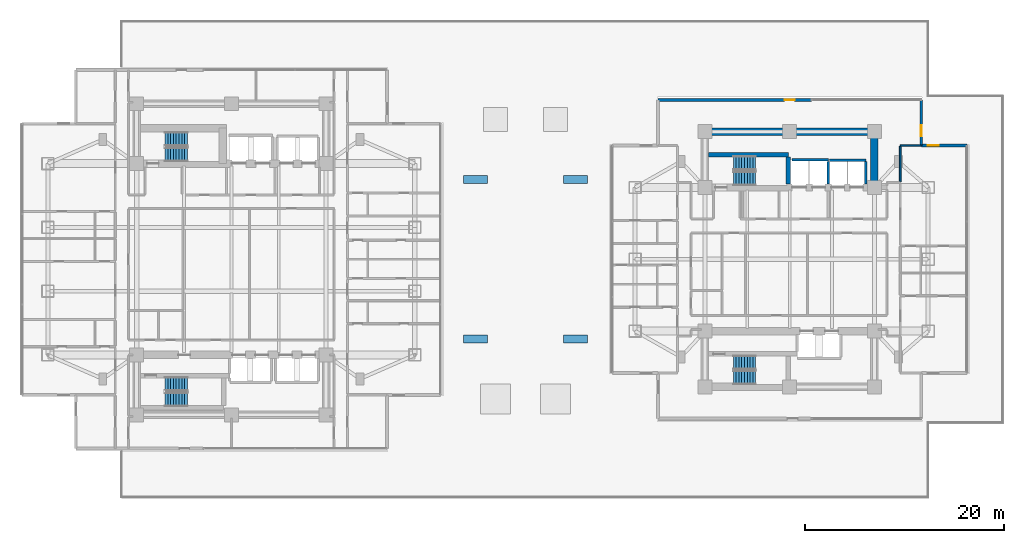
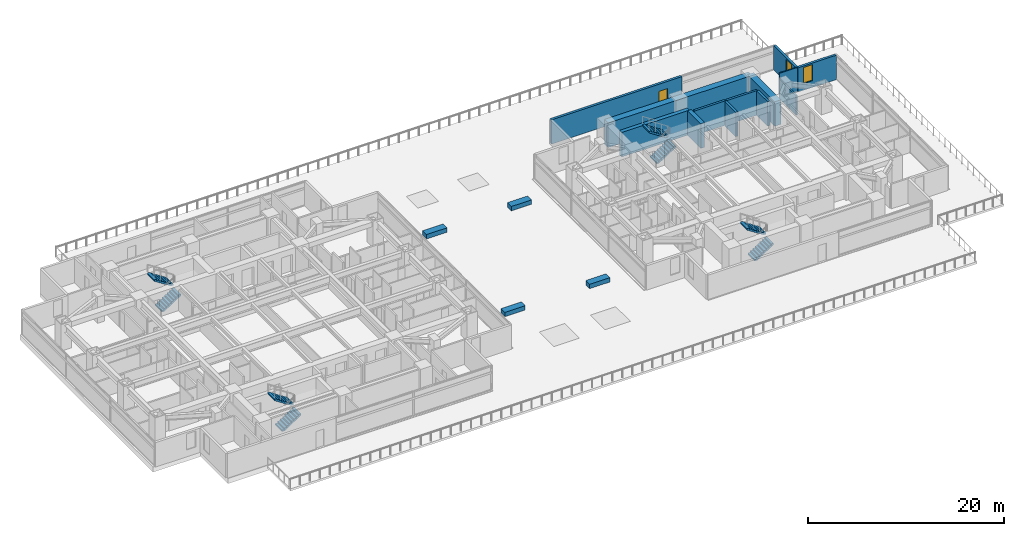
# One storey, part 18 of 26: 13 walls, 8 stair flights, 4 discrete accessories, 2 windows, 1 door, 3 openings, 4 elements without a shape of their own.
"""IFC4 building model written with IfcOpenShell, lengths in metres."""

from ifc_helpers import new_model, si_unit, direction, frame, frame_2d, origin, origin_2d, place, context, subcontext, project, spatial, polyline, rectangle, outline, extrude, material, layer, layer_set, type_object, element, fill, aggregate, save


model = new_model("IFC4")

# Units and contexts
model_context = context("Model", 3, precision=1e-05, world=origin(), true_north=direction((0.0, 1.0)))
body_context = subcontext(model_context, "Body", "Model", "MODEL_VIEW")
ifc_project = project(units=[si_unit("LENGTHUNIT", "METRE"), si_unit("AREAUNIT", "SQUARE_METRE"), si_unit("VOLUMEUNIT", "CUBIC_METRE"), si_unit("PLANEANGLEUNIT", "RADIAN"), si_unit("MASSUNIT", "GRAM", prefix="KILO")], contexts=[model_context])

# Site, building, storey
site_placement = place(None, origin())
site = spatial("IfcSite", under=ifc_project, at=site_placement, CompositionType="ELEMENT")
building_placement = place(site_placement, origin())
building = spatial("IfcBuilding", under=site, at=building_placement, Name="Mirazonda Arch Towers", CompositionType="ELEMENT")
storey_placement = place(building_placement, frame((0.0, 0.0, 22.39990234375)))
storey = spatial("IfcBuildingStorey", under=building, at=storey_placement, Name="L05", CompositionType="ELEMENT", Elevation=22.39990234375)

# Walls
ifc_material_1 = material(Name="Concrete C50/60", Category="concrete")
ifc_layer_1 = layer(ifc_material_1, 0.449951171875, Name="WALL-CORE-450")
ifc_layer_set_1 = layer_set([ifc_layer_1], Name="Concrete C50/60")
wall_type_1 = type_object("IfcWallType", Name="WALL-CORE-450", PredefinedType="SHEAR", material=ifc_layer_set_1)
wall_1_placement = place(storey_placement, frame((68.3701171875, 38.5, 0.0), z_axis=(0.0, 0.0, 1.0), x_axis=(1.0, 0.0, 0.0)))
element("IfcWall", 1, at=wall_1_placement, inside=storey, type_object=wall_type_1, Name="L05 Stair Core Shear Wall 054", PredefinedType="SHEAR", context=body_context, shape_type="SweptSolid", body=[
    extrude(rectangle(XDim=7.989990234375, YDim=0.449951171875, at=frame_2d((3.9951171875, 0.0))), origin(), (0.0, 0.0, 1.0), 3.06005859375),
])
wall_2_placement = place(storey_placement, frame((76.360107421875, 35.570068359375, 0.0), z_axis=(0.0, 0.0, 1.0), x_axis=(0.0, 1.0, 0.0)))
element("IfcWall", 2, at=wall_2_placement, inside=storey, type_object=wall_type_1, Name="L05 Stair Core Shear Wall 142", PredefinedType="SHEAR", context=body_context, shape_type="SweptSolid", body=[
    extrude(rectangle(XDim=2.69482421875, YDim=0.449951171875, at=frame_2d((1.347412109375, 0.0))), origin(), (0.0, 0.0, 1.0), 3.06005859375),
])
ifc_material_2 = material(Name="Concrete C60/75", Category="concrete")
ifc_layer_2 = layer(ifc_material_2, 0.75, Name="WALL-CORE-750")
ifc_layer_set_2 = layer_set([ifc_layer_2], Name="Concrete C60/75")
wall_type_2 = type_object("IfcWallType", Name="WALL-CORE-750", PredefinedType="SHEAR", material=ifc_layer_set_2)
wall_3_placement = place(storey_placement, frame((68.0, 40.800048828125, 0.0), z_axis=(0.0, 0.0, 1.0), x_axis=(1.0, 0.0, 0.0)))
element("IfcWall", 3, at=wall_3_placement, inside=storey, type_object=wall_type_2, Name="L05 T2N-N Core Shear Wall", PredefinedType="SHEAR", context=body_context, shape_type="SweptSolid", body=[
    extrude(rectangle(XDim=17.0, YDim=0.75, at=frame_2d((8.5, 0.0))), origin(), (0.0, 0.0, 1.0), 3.06005859375),
])
wall_4_placement = place(storey_placement, frame((85.0, 35.199951171875, 0.0), z_axis=(0.0, 0.0, 1.0), x_axis=(0.0, 1.0, 0.0)))
element("IfcWall", 4, at=wall_4_placement, inside=storey, type_object=wall_type_2, Name="L05 T2N-E Core Shear Wall", PredefinedType="SHEAR", context=body_context, shape_type="SweptSolid", body=[
    extrude(rectangle(XDim=5.60009765625, YDim=0.75, at=frame_2d((2.800048828125, 0.0))), origin(), (0.0, 0.0, 1.0), 3.06005859375),
])

# Wall, opening, door
ifc_material_3 = material(Name="Precast Concrete C40/50", Category="concrete")
ifc_layer_3 = layer(ifc_material_3, 0.280029296875, Name="WALL-EXT-WALL-280")
ifc_layer_set_3 = layer_set([ifc_layer_3], Name="Precast Concrete C40/50")
wall_type_3 = type_object("IfcWallType", Name="WALL-EXT-WALL-280", PredefinedType="SOLIDWALL", material=ifc_layer_set_3)
wall_5_placement = place(storey_placement, frame((63.300048828125, 43.97998046875, 0.0), z_axis=(0.0, 0.0, 1.0), x_axis=(1.0, 0.0, 0.0)))
wall_5 = element("IfcWall", 5, at=wall_5_placement, inside=storey, type_object=wall_type_3, Name="L05 L05 T2 Podium Roof Terrace Access Wall North WL-L05-T2-N-ACC", PredefinedType="SOLIDWALL", context=body_context, shape_type="SweptSolid", body=[
    extrude(rectangle(XDim=15.39990234375, YDim=0.280029296875, at=frame_2d((7.699951171875, 0.0))), origin(), (0.0, 0.0, 1.0), 3.0400390625),
])
opening_1_placement = place(wall_5_placement, frame((12.699951171875, 0.0, 0.0)))
opening_1 = element("IfcOpeningElement", 6, at=opening_1_placement, cuts=wall_5, Name="Opening DR-110", PredefinedType="OPENING", context=body_context, shape_type="SweptSolid", body=[
    extrude(rectangle(XDim=1.0, YDim=2.14990234375, at=frame_2d((0.5, 1.074951171875))), frame((0.0, 0.14990234375, 0.0), z_axis=(0.0, -1.0, 0.0), x_axis=(1.0, 0.0, 0.0)), (0.0, 0.0, 1.0), 0.300048828125),
])
ifc_material_4 = material(Name="Architectural Brushed Steel S355", Category="steel")
door_type = type_object("IfcDoorType", Name="DOOR-ROOF-EXT-1000", OperationType="NOTDEFINED", PredefinedType="DOOR", material=ifc_material_4)
door_placement = place(opening_1_placement, origin())
door = element("IfcDoor", 7, at=door_placement, inside=storey, type_object=door_type, Name="L05 Exterior Door DR-PODRF-T2-N", OperationType="SINGLE_SWING_RIGHT", OverallHeight=2.14990234375, OverallWidth=1.0, PredefinedType="DOOR", context=body_context, shape_type="SweptSolid", body=[
    extrude(rectangle(XDim=1.0, YDim=2.14990234375, at=frame_2d((0.5, 1.074951171875))), frame((0.0, 0.02490234375, 0.0), z_axis=(0.0, -1.0, 0.0), x_axis=(1.0, 0.0, 0.0)), (0.0, 0.0, 1.0), 0.050048828125),
])
fill(opening_1, door)

# Wall, opening, window
wall_6_placement = place(storey_placement, frame((89.699951171875, 39.39990234375, 0.0), z_axis=(0.0, 0.0, 1.0), x_axis=(0.0, 1.0, 0.0)))
wall_6 = element("IfcWall", 8, at=wall_6_placement, inside=storey, type_object=wall_type_3, Name="L05 T2 Notched NE Corner Wall WL-L05-T2-CNE", PredefinedType="SOLIDWALL", context=body_context, shape_type="SweptSolid", body=[
    extrude(rectangle(XDim=4.580078125, YDim=0.280029296875, at=frame_2d((2.2900390625, 0.0))), origin(), (0.0, 0.0, 1.0), 3.0400390625),
])
opening_2_placement = place(wall_6_placement, frame((0.949951171875, 0.0, 0.85009765625)))
opening_2 = element("IfcOpeningElement", 9, at=opening_2_placement, cuts=wall_6, Name="Opening WN-108", PredefinedType="OPENING", context=body_context, shape_type="SweptSolid", body=[
    extrude(rectangle(XDim=1.10009765625, YDim=2.0, at=frame_2d((0.550048828125, 1.0))), frame((0.0, 0.14990234375, 0.0), z_axis=(0.0, -1.0, 0.0), x_axis=(1.0, 0.0, 0.0)), (0.0, 0.0, 1.0), 0.300048828125),
])
ifc_material_5 = material(Name="Insulated Low-E Solar Glass", Category="glass")
window_type = type_object("IfcWindowType", Name="WIN-NOTCH-1100x2000", PartitioningType="SINGLE_PANEL", PredefinedType="WINDOW", material=ifc_material_5)
window_1_placement = place(opening_2_placement, origin())
window_1 = element("IfcWindow", 10, at=window_1_placement, inside=storey, type_object=window_type, Name="L05 Punched Facade Window WN-L05-T2-CNE", OverallHeight=2.0, OverallWidth=1.10009765625, PartitioningType="SINGLE_PANEL", PredefinedType="WINDOW", context=body_context, shape_type="SweptSolid", body=[
    extrude(rectangle(XDim=1.10009765625, YDim=2.0, at=frame_2d((0.550048828125, 1.0))), frame((0.0, 0.030029296875, 0.0), z_axis=(0.0, -1.0, 0.0), x_axis=(1.0, 0.0, 0.0)), (0.0, 0.0, 1.0), 0.06005859375),
])
fill(opening_2, window_1)

wall_7_placement = place(storey_placement, frame((94.280029296875, 39.39990234375, 0.0), z_axis=(0.0, 0.0, 1.0), x_axis=(-1.0, 0.0, 0.0)))
wall_7 = element("IfcWall", 11, at=wall_7_placement, inside=storey, type_object=wall_type_3, Name="L05 T2 Corner Notch Return Wall WL-L05-T2-CNE2", PredefinedType="SOLIDWALL", context=body_context, shape_type="SweptSolid", body=[
    extrude(rectangle(XDim=4.580078125, YDim=0.280029296875, at=frame_2d((2.2900390625, 0.0))), origin(), (0.0, 0.0, 1.0), 3.0400390625),
])
opening_3_placement = place(wall_7_placement, frame((2.830078125, 0.0, 0.85009765625)))
opening_3 = element("IfcOpeningElement", 12, at=opening_3_placement, cuts=wall_7, Name="Opening WN-108", PredefinedType="OPENING", context=body_context, shape_type="SweptSolid", body=[
    extrude(rectangle(XDim=1.10009765625, YDim=2.0, at=frame_2d((0.550048828125, 1.0))), frame((0.0, 0.14990234375, 0.0), z_axis=(0.0, -1.0, 0.0), x_axis=(1.0, 0.0, 0.0)), (0.0, 0.0, 1.0), 0.300048828125),
])
window_2_placement = place(opening_3_placement, origin())
window_2 = element("IfcWindow", 13, at=window_2_placement, inside=storey, type_object=window_type, Name="L05 Punched Facade Window WN-L05-T2-CNE2", OverallHeight=2.0, OverallWidth=1.10009765625, PartitioningType="SINGLE_PANEL", PredefinedType="WINDOW", context=body_context, shape_type="SweptSolid", body=[
    extrude(rectangle(XDim=1.10009765625, YDim=2.0, at=frame_2d((0.550048828125, 1.0))), frame((0.0, 0.030029296875, 0.0), z_axis=(0.0, -1.0, 0.0), x_axis=(1.0, 0.0, 0.0)), (0.0, 0.0, 1.0), 0.06005859375),
])
fill(opening_3, window_2)

# Walls
ifc_material_6 = material(Name="Fire-Rated Gypsum Stud Partition")
ifc_layer_4 = layer(ifc_material_6, 0.14990234375, Name="WALL-PART-CORR-150")
ifc_layer_set_4 = layer_set([ifc_layer_4], Name="Fire-Rated Gypsum Stud Partition")
wall_type_4 = type_object("IfcWallType", Name="WALL-PART-CORR-150", PredefinedType="PARTITIONING", material=ifc_layer_set_4)
wall_8_placement = place(storey_placement, frame((87.60009765625, 39.39990234375, 0.0), z_axis=(0.0, 0.0, 1.0), x_axis=(1.0, 0.0, 0.0)))
element("IfcWall", 14, at=wall_8_placement, inside=storey, type_object=wall_type_4, Name="L05 Interior Partition 056", PredefinedType="PARTITIONING", context=body_context, shape_type="SweptSolid", body=[
    extrude(rectangle(XDim=2.079833984375, YDim=0.14990234375, at=frame_2d((1.0400390625, 0.0))), origin(), (0.0, 0.0, 1.0), 3.06005859375),
])
ifc_material_7 = material(Name="Fire-Rated Gypsum Twin-Stud Assembly")
ifc_layer_5 = layer(ifc_material_7, 0.179931640625, Name="WALL-PART-DEMISE-180")
ifc_layer_set_5 = layer_set([ifc_layer_5], Name="Fire-Rated Gypsum Twin-Stud Assembly")
wall_type_5 = type_object("IfcWallType", Name="WALL-PART-DEMISE-180", PredefinedType="PARTITIONING", material=ifc_layer_set_5)
wall_9_placement = place(storey_placement, frame((87.60009765625, 35.784912109375, 0.0), z_axis=(0.0, 0.0, 1.0), x_axis=(0.0, 1.0, 0.0)))
element("IfcWall", 15, at=wall_9_placement, inside=storey, type_object=wall_type_5, Name="L05 Interior Partition 158", PredefinedType="PARTITIONING", context=body_context, shape_type="SweptSolid", body=[
    extrude(rectangle(XDim=3.530029296875, YDim=0.179931640625, at=frame_2d((1.76513671875, 0.0))), origin(), (0.0, 0.0, 1.0), 2.43603515625),
])
ifc_material_8 = material(Name="Concrete C40/50", Category="concrete")
ifc_layer_6 = layer(ifc_material_8, 0.25, Name="WALL-SHAFT-250")
ifc_layer_set_6 = layer_set([ifc_layer_6], Name="Concrete C40/50")
wall_type_6 = type_object("IfcWallType", Name="WALL-SHAFT-250", PredefinedType="SOLIDWALL", material=ifc_layer_set_6)
wall_10_placement = place(storey_placement, frame((80.5, 37.949951171875, 0.0), z_axis=(0.0, 0.0, 1.0), x_axis=(1.0, 0.0, 0.0)))
element("IfcWall", 16, at=wall_10_placement, inside=storey, type_object=wall_type_6, Name="L05 Interior Partition 052", PredefinedType="SOLIDWALL", context=body_context, shape_type="SweptSolid", body=[
    extrude(rectangle(XDim=3.64990234375, YDim=0.25, at=frame_2d((1.824951171875, 0.0))), origin(), (0.0, 0.0, 1.0), 3.06005859375),
])
wall_11_placement = place(storey_placement, frame((76.719970703125, 38.0, 0.0), z_axis=(0.0, 0.0, 1.0), x_axis=(1.0, 0.0, 0.0)))
element("IfcWall", 17, at=wall_11_placement, inside=storey, type_object=wall_type_6, Name="L05 Interior Partition 053", PredefinedType="SOLIDWALL", context=body_context, shape_type="SweptSolid", body=[
    extrude(rectangle(XDim=3.659912109375, YDim=0.25, at=frame_2d((1.830078125, 0.0))), origin(), (0.0, 0.0, 1.0), 3.06005859375),
])
for number, where, z_axis, x_axis, name in (
    (18, (80.3798828125, 35.570068359375, 0.0), (0.0, 0.0, 1.0), (0.0, 1.0, 0.0), "L05 Interior Partition 146"),
    (19, (84.14990234375, 35.570068359375, 0.0), (0.0, 0.0, 1.0), (0.0, 1.0, 0.0), "L05 Interior Partition 148"),
):
    element("IfcWall", number, at=place(storey_placement, frame(where, z_axis=z_axis, x_axis=x_axis)), inside=storey, type_object=wall_type_6, Name=name, PredefinedType="SOLIDWALL", context=body_context, shape_type="SweptSolid", body=[
        extrude(rectangle(XDim=2.244873046875, YDim=0.25, at=frame_2d((1.12255859375, 0.0))), origin(), (0.0, 0.0, 1.0), 3.06005859375),
    ])

# Stair, stair flights
stair_type = type_object("IfcStairType", Name="STAIR-CORE-1400", PredefinedType="HALF_TURN_STAIR", material=ifc_material_8)
stair_1_placement = place(storey_placement, origin())
stair_1 = element("IfcStair", 20, at=stair_1_placement, inside=storey, type_object=stair_type, Name="L05 Protected Exit Stair ST-T1N", PredefinedType="HALF_TURN_STAIR")
stair_flight_type = type_object("IfcStairFlightType", Name="FLIGHT-1400", PredefinedType="STRAIGHT", material=ifc_material_8)
stair_flight_1_placement = place(storey_placement, frame((13.85009765625, 38.52001953125, 0.0), z_axis=(0.0, 0.0, 1.0), x_axis=(1.0, 0.0, 0.0)))
stair_flight_1 = element("IfcStairFlight", 21, at=stair_flight_1_placement, type_object=stair_flight_type, Name="ST-T1N flight 1", NumberOfRisers=9, NumberOfTreads=8, PredefinedType="STRAIGHT", RiserHeight=0.183333333, TreadLength=0.28, context=body_context, shape_type="SweptSolid", body=[
    extrude(outline(polyline([(0.0, 0.0), (0.0, 0.183349609375), (0.280029296875, 0.183349609375), (0.280029296875, 0.36669921875), (0.56005859375, 0.36669921875), (0.56005859375, 0.550048828125), (0.840087890625, 0.550048828125), (0.840087890625, 0.7333984375), (1.1201171875, 0.7333984375), (1.1201171875, 0.916748046875), (1.39990234375, 0.916748046875), (1.39990234375, 1.10009765625), (1.679931640625, 1.10009765625), (1.679931640625, 1.283447265625), (1.9599609375, 1.283447265625), (1.9599609375, 1.466552734375), (2.239990234375, 1.466552734375), (2.239990234375, 1.64990234375), (2.239990234375, 1.275634765625), (0.2919921875, 0.0), (0.0, 0.0)])), frame((0.0, 0.699951171875, 0.0), z_axis=(0.0, -1.0, 0.0), x_axis=(1.0, 0.0, 0.0)), (0.0, 0.0, 1.0), 1.39990234375),
])
stair_flight_2_placement = place(storey_placement, frame((16.090087890625, 40.06005859375, 1.650146484375), z_axis=(0.0, 0.0, 1.0), x_axis=(-1.0, 0.0, 0.0)))
stair_flight_2 = element("IfcStairFlight", 22, at=stair_flight_2_placement, type_object=stair_flight_type, Name="ST-T1N flight 2", NumberOfRisers=9, NumberOfTreads=8, PredefinedType="STRAIGHT", RiserHeight=0.183333333, TreadLength=0.28, context=body_context, shape_type="SweptSolid", body=[
    extrude(outline(polyline([(0.0, 0.0), (0.0, 0.183349609375), (0.280029296875, 0.183349609375), (0.280029296875, 0.36669921875), (0.56005859375, 0.36669921875), (0.56005859375, 0.550048828125), (0.840087890625, 0.550048828125), (0.840087890625, 0.7333984375), (1.1201171875, 0.7333984375), (1.1201171875, 0.916748046875), (1.39990234375, 0.916748046875), (1.39990234375, 1.10009765625), (1.679931640625, 1.10009765625), (1.679931640625, 1.283447265625), (1.9599609375, 1.283447265625), (1.9599609375, 1.466552734375), (2.239990234375, 1.466552734375), (2.239990234375, 1.64990234375), (2.239990234375, 1.275634765625), (0.2919921875, 0.0), (0.0, 0.0)])), frame((0.0, 0.699951171875, 0.0), z_axis=(0.0, -1.0, 0.0), x_axis=(1.0, 0.0, 0.0)), (0.0, 0.0, 1.0), 1.39990234375),
])
aggregate(stair_1, [stair_flight_1, stair_flight_2])

stair_2_placement = place(storey_placement, origin())
stair_2 = element("IfcStair", 23, at=stair_2_placement, inside=storey, type_object=stair_type, Name="L05 Protected Exit Stair ST-T1S", PredefinedType="HALF_TURN_STAIR")
stair_flight_3_placement = place(storey_placement, frame((13.85009765625, 13.949951171875, 0.0), z_axis=(0.0, 0.0, 1.0), x_axis=(1.0, 0.0, 0.0)))
stair_flight_3 = element("IfcStairFlight", 24, at=stair_flight_3_placement, type_object=stair_flight_type, Name="ST-T1S flight 1", NumberOfRisers=9, NumberOfTreads=8, PredefinedType="STRAIGHT", RiserHeight=0.183333333, TreadLength=0.28, context=body_context, shape_type="SweptSolid", body=[
    extrude(outline(polyline([(0.0, 0.0), (0.0, 0.183349609375), (0.280029296875, 0.183349609375), (0.280029296875, 0.36669921875), (0.56005859375, 0.36669921875), (0.56005859375, 0.550048828125), (0.840087890625, 0.550048828125), (0.840087890625, 0.7333984375), (1.1201171875, 0.7333984375), (1.1201171875, 0.916748046875), (1.39990234375, 0.916748046875), (1.39990234375, 1.10009765625), (1.679931640625, 1.10009765625), (1.679931640625, 1.283447265625), (1.9599609375, 1.283447265625), (1.9599609375, 1.466552734375), (2.239990234375, 1.466552734375), (2.239990234375, 1.64990234375), (2.239990234375, 1.275634765625), (0.2919921875, 0.0), (0.0, 0.0)])), frame((0.0, 0.699951171875, 0.0), z_axis=(0.0, -1.0, 0.0), x_axis=(1.0, 0.0, 0.0)), (0.0, 0.0, 1.0), 1.39990234375),
])
stair_flight_4_placement = place(storey_placement, frame((16.090087890625, 15.489990234375, 1.650146484375), z_axis=(0.0, 0.0, 1.0), x_axis=(-1.0, 0.0, 0.0)))
stair_flight_4 = element("IfcStairFlight", 25, at=stair_flight_4_placement, type_object=stair_flight_type, Name="ST-T1S flight 2", NumberOfRisers=9, NumberOfTreads=8, PredefinedType="STRAIGHT", RiserHeight=0.183333333, TreadLength=0.28, context=body_context, shape_type="SweptSolid", body=[
    extrude(outline(polyline([(0.0, 0.0), (0.0, 0.183349609375), (0.280029296875, 0.183349609375), (0.280029296875, 0.36669921875), (0.56005859375, 0.36669921875), (0.56005859375, 0.550048828125), (0.840087890625, 0.550048828125), (0.840087890625, 0.7333984375), (1.1201171875, 0.7333984375), (1.1201171875, 0.916748046875), (1.39990234375, 0.916748046875), (1.39990234375, 1.10009765625), (1.679931640625, 1.10009765625), (1.679931640625, 1.283447265625), (1.9599609375, 1.283447265625), (1.9599609375, 1.466552734375), (2.239990234375, 1.466552734375), (2.239990234375, 1.64990234375), (2.239990234375, 1.275634765625), (0.2919921875, 0.0), (0.0, 0.0)])), frame((0.0, 0.699951171875, 0.0), z_axis=(0.0, -1.0, 0.0), x_axis=(1.0, 0.0, 0.0)), (0.0, 0.0, 1.0), 1.39990234375),
])
aggregate(stair_2, [stair_flight_3, stair_flight_4])

stair_3_placement = place(storey_placement, origin())
stair_3 = element("IfcStair", 26, at=stair_3_placement, inside=storey, type_object=stair_type, Name="L05 Protected Exit Stair ST-T2N", PredefinedType="HALF_TURN_STAIR")
stair_flight_5_placement = place(storey_placement, frame((70.85009765625, 36.1201171875, 0.0), z_axis=(0.0, 0.0, 1.0), x_axis=(1.0, 0.0, 0.0)))
stair_flight_5 = element("IfcStairFlight", 27, at=stair_flight_5_placement, type_object=stair_flight_type, Name="ST-T2N flight 1", NumberOfRisers=9, NumberOfTreads=8, PredefinedType="STRAIGHT", RiserHeight=0.183333333, TreadLength=0.28, context=body_context, shape_type="SweptSolid", body=[
    extrude(outline(polyline([(0.0, 0.0), (0.0, 0.183349609375), (0.280029296875, 0.183349609375), (0.280029296875, 0.36669921875), (0.56005859375, 0.36669921875), (0.56005859375, 0.550048828125), (0.840087890625, 0.550048828125), (0.840087890625, 0.7333984375), (1.1201171875, 0.7333984375), (1.1201171875, 0.916748046875), (1.39990234375, 0.916748046875), (1.39990234375, 1.10009765625), (1.679931640625, 1.10009765625), (1.679931640625, 1.283447265625), (1.9599609375, 1.283447265625), (1.9599609375, 1.466552734375), (2.239990234375, 1.466552734375), (2.239990234375, 1.64990234375), (2.239990234375, 1.275634765625), (0.2919921875, 0.0), (0.0, 0.0)])), frame((0.0, 0.699951171875, 0.0), z_axis=(0.0, -1.0, 0.0), x_axis=(1.0, 0.0, 0.0)), (0.0, 0.0, 1.0), 1.39990234375),
])
stair_flight_6_placement = place(storey_placement, frame((73.090087890625, 37.659912109375, 1.650146484375), z_axis=(0.0, 0.0, 1.0), x_axis=(-1.0, 0.0, 0.0)))
stair_flight_6 = element("IfcStairFlight", 28, at=stair_flight_6_placement, type_object=stair_flight_type, Name="ST-T2N flight 2", NumberOfRisers=9, NumberOfTreads=8, PredefinedType="STRAIGHT", RiserHeight=0.183333333, TreadLength=0.28, context=body_context, shape_type="SweptSolid", body=[
    extrude(outline(polyline([(0.0, 0.0), (0.0, 0.183349609375), (0.280029296875, 0.183349609375), (0.280029296875, 0.36669921875), (0.56005859375, 0.36669921875), (0.56005859375, 0.550048828125), (0.840087890625, 0.550048828125), (0.840087890625, 0.7333984375), (1.1201171875, 0.7333984375), (1.1201171875, 0.916748046875), (1.39990234375, 0.916748046875), (1.39990234375, 1.10009765625), (1.679931640625, 1.10009765625), (1.679931640625, 1.283447265625), (1.9599609375, 1.283447265625), (1.9599609375, 1.466552734375), (2.239990234375, 1.466552734375), (2.239990234375, 1.64990234375), (2.239990234375, 1.275634765625), (0.2919921875, 0.0), (0.0, 0.0)])), frame((0.0, 0.699951171875, 0.0), z_axis=(0.0, -1.0, 0.0), x_axis=(1.0, 0.0, 0.0)), (0.0, 0.0, 1.0), 1.39990234375),
])
aggregate(stair_3, [stair_flight_5, stair_flight_6])

stair_4_placement = place(storey_placement, origin())
stair_4 = element("IfcStair", 29, at=stair_4_placement, inside=storey, type_object=stair_type, Name="L05 Protected Exit Stair ST-T2S", PredefinedType="HALF_TURN_STAIR")
stair_flight_7_placement = place(storey_placement, frame((70.85009765625, 16.1201171875, 0.0), z_axis=(0.0, 0.0, 1.0), x_axis=(1.0, 0.0, 0.0)))
stair_flight_7 = element("IfcStairFlight", 30, at=stair_flight_7_placement, type_object=stair_flight_type, Name="ST-T2S flight 1", NumberOfRisers=9, NumberOfTreads=8, PredefinedType="STRAIGHT", RiserHeight=0.183333333, TreadLength=0.28, context=body_context, shape_type="SweptSolid", body=[
    extrude(outline(polyline([(0.0, 0.0), (0.0, 0.183349609375), (0.280029296875, 0.183349609375), (0.280029296875, 0.36669921875), (0.56005859375, 0.36669921875), (0.56005859375, 0.550048828125), (0.840087890625, 0.550048828125), (0.840087890625, 0.7333984375), (1.1201171875, 0.7333984375), (1.1201171875, 0.916748046875), (1.39990234375, 0.916748046875), (1.39990234375, 1.10009765625), (1.679931640625, 1.10009765625), (1.679931640625, 1.283447265625), (1.9599609375, 1.283447265625), (1.9599609375, 1.466552734375), (2.239990234375, 1.466552734375), (2.239990234375, 1.64990234375), (2.239990234375, 1.275634765625), (0.2919921875, 0.0), (0.0, 0.0)])), frame((0.0, 0.699951171875, 0.0), z_axis=(0.0, -1.0, 0.0), x_axis=(1.0, 0.0, 0.0)), (0.0, 0.0, 1.0), 1.39990234375),
])
stair_flight_8_placement = place(storey_placement, frame((73.090087890625, 17.659912109375, 1.650146484375), z_axis=(0.0, 0.0, 1.0), x_axis=(-1.0, 0.0, 0.0)))
stair_flight_8 = element("IfcStairFlight", 31, at=stair_flight_8_placement, type_object=stair_flight_type, Name="ST-T2S flight 2", NumberOfRisers=9, NumberOfTreads=8, PredefinedType="STRAIGHT", RiserHeight=0.183333333, TreadLength=0.28, context=body_context, shape_type="SweptSolid", body=[
    extrude(outline(polyline([(0.0, 0.0), (0.0, 0.183349609375), (0.280029296875, 0.183349609375), (0.280029296875, 0.36669921875), (0.56005859375, 0.36669921875), (0.56005859375, 0.550048828125), (0.840087890625, 0.550048828125), (0.840087890625, 0.7333984375), (1.1201171875, 0.7333984375), (1.1201171875, 0.916748046875), (1.39990234375, 0.916748046875), (1.39990234375, 1.10009765625), (1.679931640625, 1.10009765625), (1.679931640625, 1.283447265625), (1.9599609375, 1.283447265625), (1.9599609375, 1.466552734375), (2.239990234375, 1.466552734375), (2.239990234375, 1.64990234375), (2.239990234375, 1.275634765625), (0.2919921875, 0.0), (0.0, 0.0)])), frame((0.0, 0.699951171875, 0.0), z_axis=(0.0, -1.0, 0.0), x_axis=(1.0, 0.0, 0.0)), (0.0, 0.0, 1.0), 1.39990234375),
])
aggregate(stair_4, [stair_flight_7, stair_flight_8])

# Discrete accessories
ifc_material_9 = material(Name="Kiln-Fired Architectural Terracotta", Category="masonry")
discrete_accessory_type = type_object("IfcDiscreteAccessoryType", Name="PLANTER-TERRA", PredefinedType="USERDEFINED", material=ifc_material_9)
for number, where, z_axis, x_axis, name in (
    (32, (45.0, 20.0, 0.0), (0.0, 0.0, 1.0), (1.0, 0.0, 0.0), "L05 Podium Roof Terracotta Planter 1"),
    (33, (55.0, 20.0, 0.0), (0.0, 0.0, 1.0), (1.0, 0.0, 0.0), "L05 Podium Roof Terracotta Planter 2"),
    (34, (45.0, 36.0, 0.0), (0.0, 0.0, 1.0), (1.0, 0.0, 0.0), "L05 Podium Roof Terracotta Planter 3"),
    (35, (55.0, 36.0, 0.0), (0.0, 0.0, 1.0), (1.0, 0.0, 0.0), "L05 Podium Roof Terracotta Planter 4"),
):
    element("IfcDiscreteAccessory", number, at=place(storey_placement, frame(where, z_axis=z_axis, x_axis=x_axis)), inside=storey, type_object=discrete_accessory_type, Name=name, ObjectType="PLANTER", PredefinedType="USERDEFINED", context=body_context, shape_type="SweptSolid", body=[
        extrude(rectangle(XDim=2.39990234375, YDim=0.800048828125, at=origin_2d()), origin(), (0.0, 0.0, 1.0), 0.550048828125),
    ])

save(model, "model.ifc")
